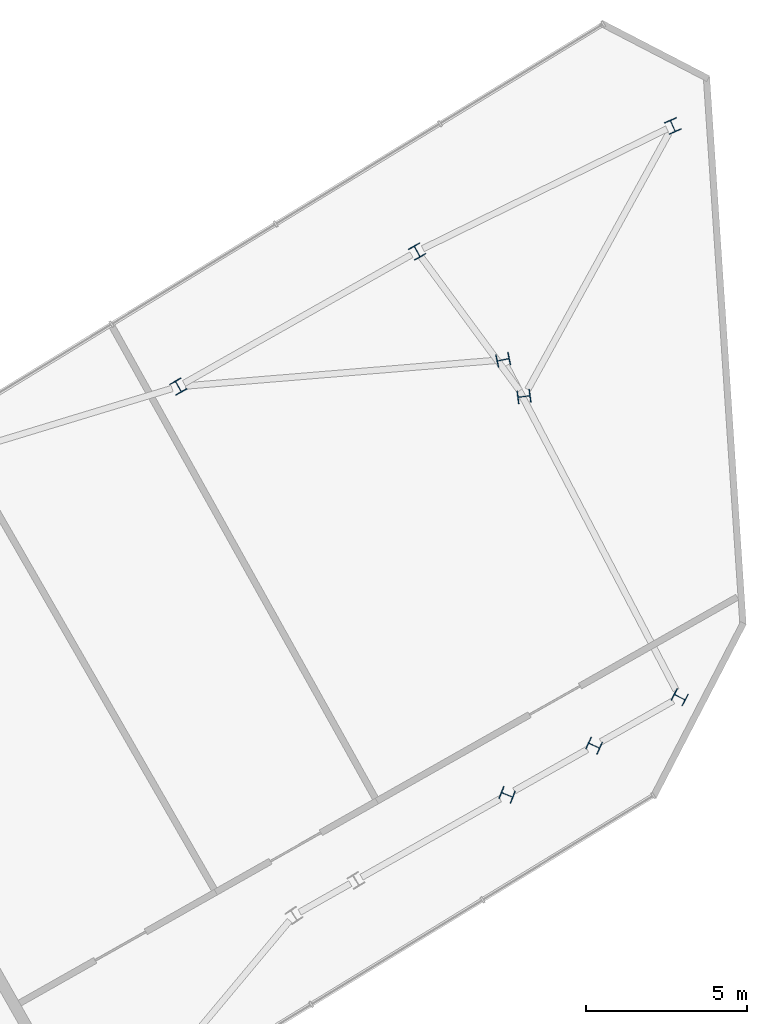
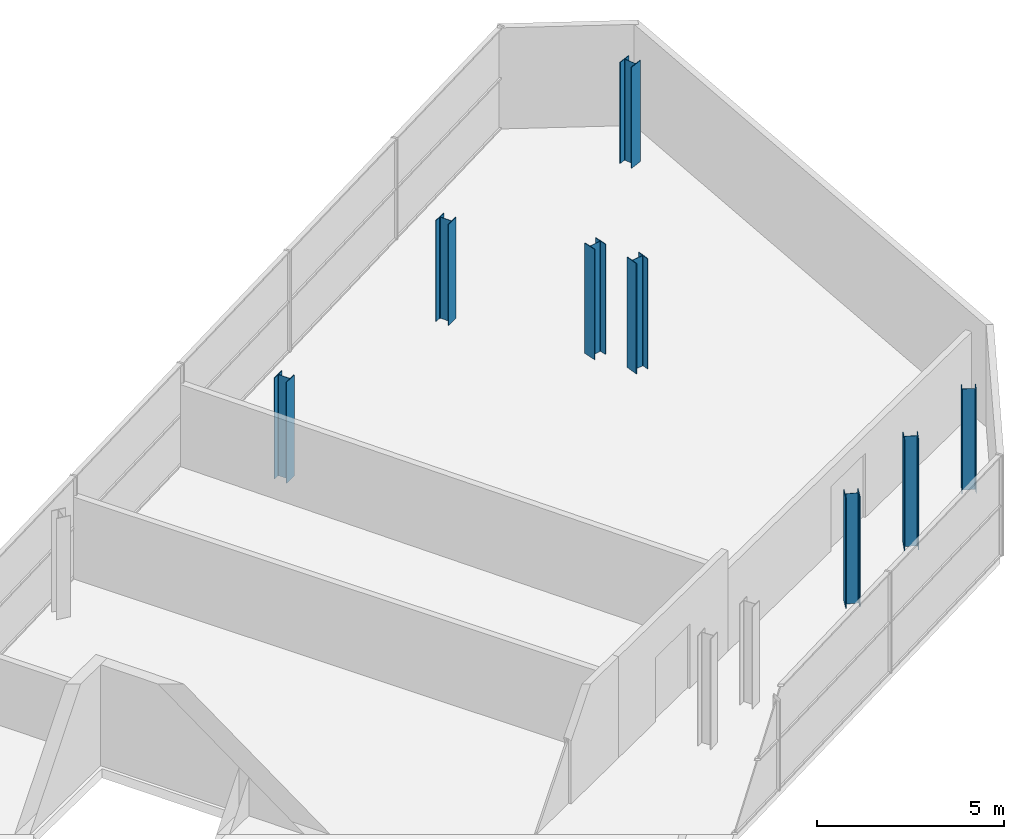
# One storey, part 2 of 8: 8 columns.
"""IFC4 building model written with IfcOpenShell, lengths in metres."""

from ifc_helpers import new_model, si_unit, direction, frame, origin, origin_2d, place, context, subcontext, project, spatial, i_section, extrude, material, material_profile, profile_set, type_object, element, save


model = new_model("IFC4")

# Units and contexts
model_context = context("Model", 3, precision=1e-05, world=origin(), true_north=direction((0.0, 1.0)))
body_context = subcontext(model_context, "Body", "Model", "MODEL_VIEW")
ifc_project = project(units=[si_unit("LENGTHUNIT", "METRE"), si_unit("AREAUNIT", "SQUARE_METRE"), si_unit("VOLUMEUNIT", "CUBIC_METRE"), si_unit("PLANEANGLEUNIT", "RADIAN"), si_unit("MASSUNIT", "GRAM", prefix="KILO")], contexts=[model_context])

# Site, building, storey
site_placement = place(None, origin())
site = spatial("IfcSite", under=ifc_project, at=site_placement, CompositionType="ELEMENT")
building_placement = place(site_placement, origin())
building = spatial("IfcBuilding", under=site, at=building_placement, Name="Binnacle Exchange Tower", CompositionType="ELEMENT")
storey_placement = place(building_placement, frame((0.0, 0.0, 350.5)))
storey = spatial("IfcBuildingStorey", under=building, at=storey_placement, Name="L80", CompositionType="ELEMENT", Elevation=350.5)

# Columns
ifc_material = material(Name="Steel S355 (SHN355)", Category="steel")
ifc_material_profile = material_profile(ifc_material, i_section(OverallWidth=0.39990234375, OverallDepth=0.39990234375, WebThickness=0.012939453125, FlangeThickness=0.02099609375, FilletRadius=0.02197265625, at=origin_2d()), Name="H 400x400x13x21")
ifc_profile_set = profile_set([ifc_material_profile], Name="Steel S355 (SHN355)")
column_type = type_object("IfcColumnType", Name="H 400x400x13x21", PredefinedType="COLUMN", material=ifc_profile_set)
for number, where, z_axis, x_axis, name in (
    (1, (-5.397705078125, 49.1044921875, 0.0), (0.0, 0.0, 1.0), (0.459967339491, 0.887935834732, 0.0), "S:COL:MC40:L80"),
    (2, (-5.61279296875, 66.851806640625, 0.0), (0.0, 0.0, 1.0), (-0.91471298536, -0.40410413808, 0.0), "S:COL:MC41:L80"),
    (3, (-13.55615234375, 62.95166015625, 0.0), (0.0, 0.0, 1.0), (-0.87035569594, -0.492423560103, 0.0), "S:COL:MC33:L80"),
    (4, (-20.973876953125, 58.754638671875, 0.0), (0.0, 0.0, 1.0), (-0.87035569594, -0.492423560103, 0.0), "S:COL:MC26:L80"),
):
    element("IfcColumn", number, at=place(storey_placement, frame(where, z_axis=z_axis, x_axis=x_axis)), inside=storey, type_object=column_type, Name=name, PredefinedType="COLUMN", context=body_context, shape_type="SweptSolid", body=[
        extrude(i_section(OverallWidth=0.39990234375, OverallDepth=0.39990234375, WebThickness=0.012939453125, FlangeThickness=0.02099609375, FilletRadius=0.02197265625, at=origin_2d()), origin(), (0.0, 0.0, 1.0), 3.300048828125),
    ])
for number, where, z_axis, x_axis, name in (
    (5, (-8.057861328125, 47.599365234375, 0.0), (0.0, 0.0, 1.0), (0.41501085379, 0.909816460192, 0.0), "S:COL:MC36:L80"),
    (6, (-10.236572265625, 58.4453125, 0.0), (0.0, 0.0, 1.0), (-0.132931058583, 0.991125286563, 0.0), "S:COL:MC39:L80"),
    (7, (-10.760009765625, 46.070556640625, 0.0), (0.0, 0.0, 1.0), (0.369033125724, 0.929416242659, 0.0), "S:COL:MC31:L80"),
    (8, (-10.88232421875, 59.5869140625, 0.0), (0.0, 0.0, 1.0), (-0.198666664019, 0.98006711842, 0.0), "S:COL:MC34:L80"),
):
    element("IfcColumn", number, at=place(storey_placement, frame(where, z_axis=z_axis, x_axis=x_axis)), inside=storey, type_object=column_type, Name=name, PredefinedType="COLUMN", context=body_context, shape_type="SweptSolid", body=[
        extrude(i_section(OverallWidth=0.39990234375, OverallDepth=0.39990234375, WebThickness=0.012939453125, FlangeThickness=0.02099609375, FilletRadius=0.02197265625, at=origin_2d()), origin(), (0.0, 0.0, 1.0), 3.60009765625),
    ])

save(model, "model.ifc")
